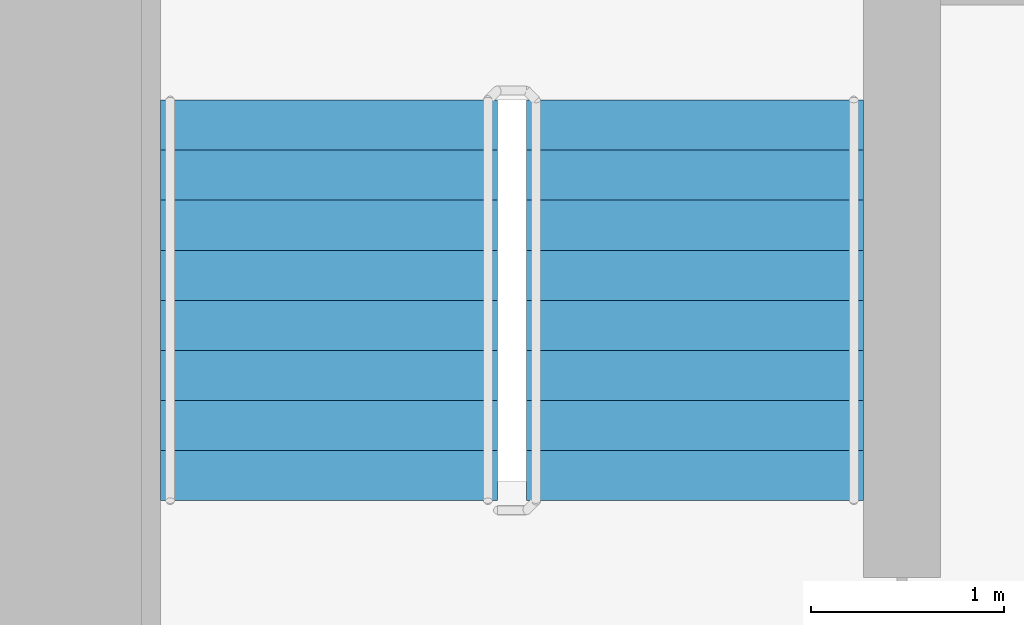
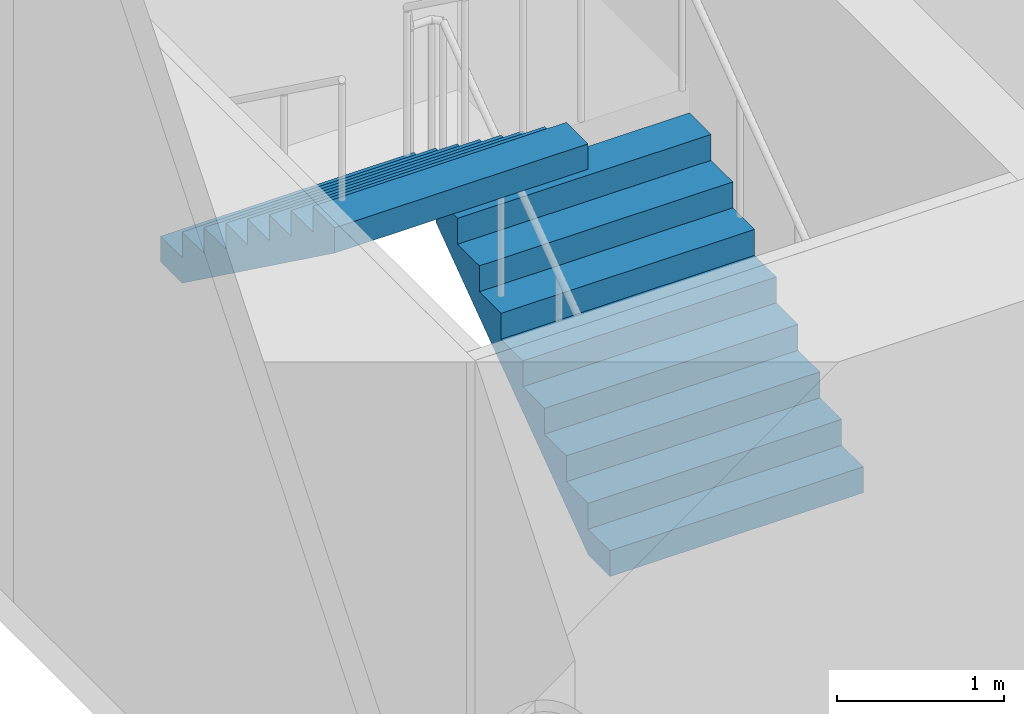
# One storey, part 21 of 25: 2 stair flights, 1 element without a shape of its own.
"""IFC4 building model written with IfcOpenShell, lengths in metres."""

from ifc_helpers import new_model, si_unit, direction, frame, origin, place, context, subcontext, project, spatial, faceted_brep, material, type_object, element, aggregate, save


model = new_model("IFC4")

# Units and contexts
model_context = context("Model", 3, precision=1e-05, world=origin(), true_north=direction((0.0, 1.0)))
body_context = subcontext(model_context, "Body", "Model", "MODEL_VIEW")
ifc_project = project(units=[si_unit("LENGTHUNIT", "METRE"), si_unit("AREAUNIT", "SQUARE_METRE"), si_unit("VOLUMEUNIT", "CUBIC_METRE"), si_unit("PLANEANGLEUNIT", "RADIAN"), si_unit("MASSUNIT", "GRAM", prefix="KILO")], contexts=[model_context])

# Site, building, storey
site_placement = place(None, origin())
site = spatial("IfcSite", under=ifc_project, at=site_placement, CompositionType="ELEMENT")
building_placement = place(site_placement, origin())
building = spatial("IfcBuilding", under=site, at=building_placement, Name="Ipe Terrace Towers", CompositionType="ELEMENT")
storey_placement = place(building_placement, frame((0.0, 0.0, 31.300048828125)))
storey = spatial("IfcBuildingStorey", under=building, at=storey_placement, Name="L07", CompositionType="ELEMENT", Elevation=31.300048828125)

# Stair, stair flights
ifc_material_1 = material(Name="Concrete C30/37", Category="concrete")
stair_type = type_object("IfcStairType", Name="Protected exit stair", PredefinedType="HALF_TURN_STAIR", material=ifc_material_1)
stair_placement = place(storey_placement, origin())
stair = element("IfcStair", 1, at=stair_placement, inside=storey, type_object=stair_type, Name="L07 Exit stair T2-C1", PredefinedType="HALF_TURN_STAIR")
ifc_material_2 = material(Name="Concrete C30/37", Category="concrete")
stair_flight_type = type_object("IfcStairFlightType", Name="Exit stair flight 1750", PredefinedType="STRAIGHT", material=ifc_material_2)
stair_flight_1_placement = place(storey_placement, frame((33.22509765625, 9.699951171875, 0.0), z_axis=(0.0, 0.0, 1.0), x_axis=(0.0, 1.0, 0.0)))
stair_flight_1 = element("IfcStairFlight", 2, at=stair_flight_1_placement, type_object=stair_flight_type, Name="T2-ST1 flight 1", NumberOfRisers=9, NumberOfTreads=8, PredefinedType="STRAIGHT", RiserHeight=0.188888889, TreadLength=0.26, context=body_context, shape_type="Brep", body=[
    faceted_brep([(0.255126953125, -0.875, 0.0), (2.080078125, -0.875, 1.325927734375), (2.080078125, -0.875, 1.51123046875), (1.820068359375, -0.875, 1.51123046875), (1.820068359375, -0.875, 1.322265625), (1.56005859375, -0.875, 1.322265625), (1.56005859375, -0.875, 1.13330078125), (1.300048828125, -0.875, 1.13330078125), (1.300048828125, -0.875, 0.9443359375), (1.0400390625, -0.875, 0.9443359375), (1.0400390625, -0.875, 0.755615234375), (0.780029296875, -0.875, 0.755615234375), (0.780029296875, -0.875, 0.566650390625), (0.52001953125, -0.875, 0.566650390625), (0.52001953125, -0.875, 0.377685546875), (0.260009765625, -0.875, 0.377685546875), (0.260009765625, -0.875, 0.18896484375), (0.0, -0.875, 0.18896484375), (0.0, -0.875, 0.0), (0.0, 0.875, 0.0), (0.0, 0.875, 0.18896484375), (0.260009765625, 0.875, 0.18896484375), (0.260009765625, 0.875, 0.377685546875), (0.52001953125, 0.875, 0.377685546875), (0.52001953125, 0.875, 0.566650390625), (0.780029296875, 0.875, 0.566650390625), (0.780029296875, 0.875, 0.755615234375), (1.0400390625, 0.875, 0.755615234375), (1.0400390625, 0.875, 0.9443359375), (1.300048828125, 0.875, 0.9443359375), (1.300048828125, 0.875, 1.13330078125), (1.56005859375, 0.875, 1.13330078125), (1.56005859375, 0.875, 1.322265625), (1.820068359375, 0.875, 1.322265625), (1.820068359375, 0.875, 1.51123046875), (2.080078125, 0.875, 1.51123046875), (2.080078125, 0.875, 1.325927734375), (0.255126953125, 0.875, 0.0), (0.0, -0.300048828125, 0.18896484375), (0.0, -0.1201171875, 0.18896484375), (0.0, -0.06005859375, 0.18896484375), (0.0, -0.030029296875, 0.18896484375), (0.0, -0.010009765625, 0.18896484375), (0.0, 0.0, 0.18896484375), (0.0, 0.010009765625, 0.18896484375), (0.0, 0.030029296875, 0.18896484375), (0.0, 0.06005859375, 0.18896484375), (0.0, 0.1201171875, 0.18896484375), (0.0, 0.300048828125, 0.18896484375), (0.0, 0.300048828125, 0.0), (0.0, 0.1201171875, 0.0), (0.0, 0.06005859375, 0.0), (0.0, 0.030029296875, 0.0), (0.0, 0.010009765625, 0.0), (0.0, 0.0, 0.0), (0.0, -0.010009765625, 0.0), (0.0, -0.030029296875, 0.0), (0.0, -0.06005859375, 0.0), (0.0, -0.1201171875, 0.0), (0.0, -0.300048828125, 0.0), (0.260009765625, -0.300048828125, 0.18896484375), (0.260009765625, -0.1201171875, 0.18896484375), (0.260009765625, -0.06005859375, 0.18896484375), (0.260009765625, -0.030029296875, 0.18896484375), (0.260009765625, -0.010009765625, 0.18896484375), (0.260009765625, 0.0, 0.18896484375), (0.260009765625, 0.010009765625, 0.18896484375), (0.260009765625, 0.030029296875, 0.18896484375), (0.260009765625, 0.06005859375, 0.18896484375), (0.260009765625, 0.1201171875, 0.18896484375), (0.260009765625, 0.300048828125, 0.18896484375), (0.260009765625, -0.300048828125, 0.377685546875), (0.260009765625, -0.1201171875, 0.377685546875), (0.260009765625, -0.06005859375, 0.377685546875), (0.260009765625, -0.030029296875, 0.377685546875), (0.260009765625, -0.010009765625, 0.377685546875), (0.260009765625, 0.0, 0.377685546875), (0.260009765625, 0.010009765625, 0.377685546875), (0.260009765625, 0.030029296875, 0.377685546875), (0.260009765625, 0.06005859375, 0.377685546875), (0.260009765625, 0.1201171875, 0.377685546875), (0.260009765625, 0.300048828125, 0.377685546875), (0.52001953125, -0.300048828125, 0.377685546875), (0.52001953125, -0.1201171875, 0.377685546875), (0.52001953125, -0.06005859375, 0.377685546875), (0.52001953125, -0.030029296875, 0.377685546875), (0.52001953125, -0.010009765625, 0.377685546875), (0.52001953125, 0.0, 0.377685546875), (0.52001953125, 0.010009765625, 0.377685546875), (0.52001953125, 0.030029296875, 0.377685546875), (0.52001953125, 0.06005859375, 0.377685546875), (0.52001953125, 0.1201171875, 0.377685546875), (0.52001953125, 0.300048828125, 0.377685546875), (0.52001953125, -0.300048828125, 0.566650390625), (0.52001953125, -0.1201171875, 0.566650390625), (0.52001953125, -0.06005859375, 0.566650390625), (0.52001953125, -0.030029296875, 0.566650390625), (0.52001953125, -0.010009765625, 0.566650390625), (0.52001953125, 0.0, 0.566650390625), (0.52001953125, 0.010009765625, 0.566650390625), (0.52001953125, 0.030029296875, 0.566650390625), (0.52001953125, 0.06005859375, 0.566650390625), (0.52001953125, 0.1201171875, 0.566650390625), (0.52001953125, 0.300048828125, 0.566650390625), (0.780029296875, -0.300048828125, 0.566650390625), (0.780029296875, -0.1201171875, 0.566650390625), (0.780029296875, -0.06005859375, 0.566650390625), (0.780029296875, -0.030029296875, 0.566650390625), (0.780029296875, -0.010009765625, 0.566650390625), (0.780029296875, 0.0, 0.566650390625), (0.780029296875, 0.010009765625, 0.566650390625), (0.780029296875, 0.030029296875, 0.566650390625), (0.780029296875, 0.06005859375, 0.566650390625), (0.780029296875, 0.1201171875, 0.566650390625), (0.780029296875, 0.300048828125, 0.566650390625), (0.780029296875, -0.300048828125, 0.755615234375), (0.780029296875, -0.1201171875, 0.755615234375), (0.780029296875, -0.06005859375, 0.755615234375), (0.780029296875, -0.030029296875, 0.755615234375), (0.780029296875, -0.010009765625, 0.755615234375), (0.780029296875, 0.0, 0.755615234375), (0.780029296875, 0.010009765625, 0.755615234375), (0.780029296875, 0.030029296875, 0.755615234375), (0.780029296875, 0.06005859375, 0.755615234375), (0.780029296875, 0.1201171875, 0.755615234375), (0.780029296875, 0.300048828125, 0.755615234375), (1.0400390625, -0.300048828125, 0.755615234375), (1.0400390625, -0.1201171875, 0.755615234375), (1.0400390625, -0.06005859375, 0.755615234375), (1.0400390625, -0.030029296875, 0.755615234375), (1.0400390625, -0.010009765625, 0.755615234375), (1.0400390625, 0.0, 0.755615234375), (1.0400390625, 0.010009765625, 0.755615234375), (1.0400390625, 0.030029296875, 0.755615234375), (1.0400390625, 0.06005859375, 0.755615234375), (1.0400390625, 0.1201171875, 0.755615234375), (1.0400390625, 0.300048828125, 0.755615234375), (1.0400390625, -0.300048828125, 0.9443359375), (1.0400390625, -0.1201171875, 0.9443359375), (1.0400390625, -0.06005859375, 0.9443359375), (1.0400390625, -0.030029296875, 0.9443359375), (1.0400390625, -0.010009765625, 0.9443359375), (1.0400390625, 0.0, 0.9443359375), (1.0400390625, 0.010009765625, 0.9443359375), (1.0400390625, 0.030029296875, 0.9443359375), (1.0400390625, 0.06005859375, 0.9443359375), (1.0400390625, 0.1201171875, 0.9443359375), (1.0400390625, 0.300048828125, 0.9443359375), (1.300048828125, -0.300048828125, 0.9443359375), (1.300048828125, -0.1201171875, 0.9443359375), (1.300048828125, -0.06005859375, 0.9443359375), (1.300048828125, -0.030029296875, 0.9443359375), (1.300048828125, -0.010009765625, 0.9443359375), (1.300048828125, 0.0, 0.9443359375), (1.300048828125, 0.010009765625, 0.9443359375), (1.300048828125, 0.030029296875, 0.9443359375), (1.300048828125, 0.06005859375, 0.9443359375), (1.300048828125, 0.1201171875, 0.9443359375), (1.300048828125, 0.300048828125, 0.9443359375), (1.300048828125, -0.300048828125, 1.13330078125), (1.300048828125, -0.1201171875, 1.13330078125), (1.300048828125, -0.06005859375, 1.13330078125), (1.300048828125, -0.030029296875, 1.13330078125), (1.300048828125, -0.010009765625, 1.13330078125), (1.300048828125, 0.0, 1.13330078125), (1.300048828125, 0.010009765625, 1.13330078125), (1.300048828125, 0.030029296875, 1.13330078125), (1.300048828125, 0.06005859375, 1.13330078125), (1.300048828125, 0.1201171875, 1.13330078125), (1.300048828125, 0.300048828125, 1.13330078125), (1.56005859375, -0.300048828125, 1.13330078125), (1.56005859375, -0.1201171875, 1.13330078125), (1.56005859375, -0.06005859375, 1.13330078125), (1.56005859375, -0.030029296875, 1.13330078125), (1.56005859375, -0.010009765625, 1.13330078125), (1.56005859375, 0.0, 1.13330078125), (1.56005859375, 0.010009765625, 1.13330078125), (1.56005859375, 0.030029296875, 1.13330078125), (1.56005859375, 0.06005859375, 1.13330078125), (1.56005859375, 0.1201171875, 1.13330078125), (1.56005859375, 0.300048828125, 1.13330078125), (1.56005859375, -0.300048828125, 1.322265625), (1.56005859375, -0.1201171875, 1.322265625), (1.56005859375, -0.06005859375, 1.322265625), (1.56005859375, -0.030029296875, 1.322265625), (1.56005859375, -0.010009765625, 1.322265625), (1.56005859375, 0.0, 1.322265625), (1.56005859375, 0.010009765625, 1.322265625), (1.56005859375, 0.030029296875, 1.322265625), (1.56005859375, 0.06005859375, 1.322265625), (1.56005859375, 0.1201171875, 1.322265625), (1.56005859375, 0.300048828125, 1.322265625), (1.820068359375, -0.300048828125, 1.322265625), (1.820068359375, -0.1201171875, 1.322265625), (1.820068359375, -0.06005859375, 1.322265625), (1.820068359375, -0.030029296875, 1.322265625), (1.820068359375, -0.010009765625, 1.322265625), (1.820068359375, 0.0, 1.322265625), (1.820068359375, 0.010009765625, 1.322265625), (1.820068359375, 0.030029296875, 1.322265625), (1.820068359375, 0.06005859375, 1.322265625), (1.820068359375, 0.1201171875, 1.322265625), (1.820068359375, 0.300048828125, 1.322265625), (1.820068359375, -0.300048828125, 1.51123046875), (1.820068359375, -0.1201171875, 1.51123046875), (1.820068359375, -0.06005859375, 1.51123046875), (1.820068359375, -0.030029296875, 1.51123046875), (1.820068359375, -0.010009765625, 1.51123046875), (1.820068359375, 0.0, 1.51123046875), (1.820068359375, 0.010009765625, 1.51123046875), (1.820068359375, 0.030029296875, 1.51123046875), (1.820068359375, 0.06005859375, 1.51123046875), (1.820068359375, 0.1201171875, 1.51123046875), (1.820068359375, 0.300048828125, 1.51123046875), (2.080078125, -0.300048828125, 1.51123046875), (2.080078125, -0.1201171875, 1.51123046875), (2.080078125, -0.06005859375, 1.51123046875), (2.080078125, -0.030029296875, 1.51123046875), (2.080078125, -0.010009765625, 1.51123046875), (2.080078125, 0.0, 1.51123046875), (2.080078125, 0.010009765625, 1.51123046875), (2.080078125, 0.030029296875, 1.51123046875), (2.080078125, 0.06005859375, 1.51123046875), (2.080078125, 0.1201171875, 1.51123046875), (2.080078125, 0.300048828125, 1.51123046875), (2.080078125, -0.300048828125, 1.325927734375), (2.080078125, -0.1201171875, 1.325927734375), (2.080078125, -0.06005859375, 1.325927734375), (2.080078125, -0.030029296875, 1.325927734375), (2.080078125, -0.010009765625, 1.325927734375), (2.080078125, 0.0, 1.325927734375), (2.080078125, 0.010009765625, 1.325927734375), (2.080078125, 0.030029296875, 1.325927734375), (2.080078125, 0.06005859375, 1.325927734375), (2.080078125, 0.1201171875, 1.325927734375), (2.080078125, 0.300048828125, 1.325927734375), (0.255126953125, -0.300048828125, 0.0), (0.255126953125, -0.1201171875, 0.0), (0.255126953125, -0.06005859375, 0.0), (0.255126953125, -0.030029296875, 0.0), (0.255126953125, -0.010009765625, 0.0), (0.255126953125, 0.0, 0.0), (0.255126953125, 0.010009765625, 0.0), (0.255126953125, 0.030029296875, 0.0), (0.255126953125, 0.06005859375, 0.0), (0.255126953125, 0.1201171875, 0.0), (0.255126953125, 0.300048828125, 0.0)], [[[0, 1, 2, 3, 4, 5, 6, 7, 8, 9, 10, 11, 12, 13, 14, 15, 16, 17, 18]], [[19, 20, 21, 22, 23, 24, 25, 26, 27, 28, 29, 30, 31, 32, 33, 34, 35, 36, 37]], [[17, 38, 39, 40, 41, 42, 43, 44, 45, 46, 47, 48, 20, 19, 49, 50, 51, 52, 53, 54, 55, 56, 57, 58, 59, 18]], [[16, 60, 61, 62, 63, 64, 65, 66, 67, 68, 69, 70, 21, 20, 48, 47, 46, 45, 44, 43, 42, 41, 40, 39, 38, 17]], [[15, 71, 72, 73, 74, 75, 76, 77, 78, 79, 80, 81, 22, 21, 70, 69, 68, 67, 66, 65, 64, 63, 62, 61, 60, 16]], [[14, 82, 83, 84, 85, 86, 87, 88, 89, 90, 91, 92, 23, 22, 81, 80, 79, 78, 77, 76, 75, 74, 73, 72, 71, 15]], [[13, 93, 94, 95, 96, 97, 98, 99, 100, 101, 102, 103, 24, 23, 92, 91, 90, 89, 88, 87, 86, 85, 84, 83, 82, 14]], [[12, 104, 105, 106, 107, 108, 109, 110, 111, 112, 113, 114, 25, 24, 103, 102, 101, 100, 99, 98, 97, 96, 95, 94, 93, 13]], [[11, 115, 116, 117, 118, 119, 120, 121, 122, 123, 124, 125, 26, 25, 114, 113, 112, 111, 110, 109, 108, 107, 106, 105, 104, 12]], [[10, 126, 127, 128, 129, 130, 131, 132, 133, 134, 135, 136, 27, 26, 125, 124, 123, 122, 121, 120, 119, 118, 117, 116, 115, 11]], [[9, 137, 138, 139, 140, 141, 142, 143, 144, 145, 146, 147, 28, 27, 136, 135, 134, 133, 132, 131, 130, 129, 128, 127, 126, 10]], [[8, 148, 149, 150, 151, 152, 153, 154, 155, 156, 157, 158, 29, 28, 147, 146, 145, 144, 143, 142, 141, 140, 139, 138, 137, 9]], [[7, 159, 160, 161, 162, 163, 164, 165, 166, 167, 168, 169, 30, 29, 158, 157, 156, 155, 154, 153, 152, 151, 150, 149, 148, 8]], [[6, 170, 171, 172, 173, 174, 175, 176, 177, 178, 179, 180, 31, 30, 169, 168, 167, 166, 165, 164, 163, 162, 161, 160, 159, 7]], [[5, 181, 182, 183, 184, 185, 186, 187, 188, 189, 190, 191, 32, 31, 180, 179, 178, 177, 176, 175, 174, 173, 172, 171, 170, 6]], [[4, 192, 193, 194, 195, 196, 197, 198, 199, 200, 201, 202, 33, 32, 191, 190, 189, 188, 187, 186, 185, 184, 183, 182, 181, 5]], [[3, 203, 204, 205, 206, 207, 208, 209, 210, 211, 212, 213, 34, 33, 202, 201, 200, 199, 198, 197, 196, 195, 194, 193, 192, 4]], [[2, 214, 215, 216, 217, 218, 219, 220, 221, 222, 223, 224, 35, 34, 213, 212, 211, 210, 209, 208, 207, 206, 205, 204, 203, 3]], [[1, 225, 226, 227, 228, 229, 230, 231, 232, 233, 234, 235, 36, 35, 224, 223, 222, 221, 220, 219, 218, 217, 216, 215, 214, 2]], [[0, 236, 237, 238, 239, 240, 241, 242, 243, 244, 245, 246, 37, 36, 235, 234, 233, 232, 231, 230, 229, 228, 227, 226, 225, 1]], [[18, 59, 58, 57, 56, 55, 54, 53, 52, 51, 50, 49, 19, 37, 246, 245, 244, 243, 242, 241, 240, 239, 238, 237, 236, 0]]]),
])
stair_flight_2_placement = place(storey_placement, frame((31.324951171875, 11.780029296875, 1.699951171875), z_axis=(0.0, 0.0, 1.0), x_axis=(0.0, -1.0, 0.0)))
stair_flight_2 = element("IfcStairFlight", 3, at=stair_flight_2_placement, type_object=stair_flight_type, Name="T2-ST1 flight 2", NumberOfRisers=9, NumberOfTreads=8, PredefinedType="STRAIGHT", RiserHeight=0.188888889, TreadLength=0.26, context=body_context, shape_type="Brep", body=[
    faceted_brep([(0.255126953125, -0.875, 0.0), (2.080078125, -0.875, 1.325927734375), (2.080078125, -0.875, 1.51123046875), (1.820068359375, -0.875, 1.51123046875), (1.820068359375, -0.875, 1.322265625), (1.56005859375, -0.875, 1.322265625), (1.56005859375, -0.875, 1.13330078125), (1.300048828125, -0.875, 1.13330078125), (1.300048828125, -0.875, 0.9443359375), (1.0400390625, -0.875, 0.9443359375), (1.0400390625, -0.875, 0.755615234375), (0.780029296875, -0.875, 0.755615234375), (0.780029296875, -0.875, 0.566650390625), (0.52001953125, -0.875, 0.566650390625), (0.52001953125, -0.875, 0.377685546875), (0.260009765625, -0.875, 0.377685546875), (0.260009765625, -0.875, 0.18896484375), (0.0, -0.875, 0.18896484375), (0.0, -0.875, 0.0), (0.0, 0.875, 0.0), (0.0, 0.875, 0.18896484375), (0.260009765625, 0.875, 0.18896484375), (0.260009765625, 0.875, 0.377685546875), (0.52001953125, 0.875, 0.377685546875), (0.52001953125, 0.875, 0.566650390625), (0.780029296875, 0.875, 0.566650390625), (0.780029296875, 0.875, 0.755615234375), (1.0400390625, 0.875, 0.755615234375), (1.0400390625, 0.875, 0.9443359375), (1.300048828125, 0.875, 0.9443359375), (1.300048828125, 0.875, 1.13330078125), (1.56005859375, 0.875, 1.13330078125), (1.56005859375, 0.875, 1.322265625), (1.820068359375, 0.875, 1.322265625), (1.820068359375, 0.875, 1.51123046875), (2.080078125, 0.875, 1.51123046875), (2.080078125, 0.875, 1.325927734375), (0.255126953125, 0.875, 0.0), (0.0, -0.300048828125, 0.18896484375), (0.0, -0.1201171875, 0.18896484375), (0.0, -0.06005859375, 0.18896484375), (0.0, -0.030029296875, 0.18896484375), (0.0, -0.010009765625, 0.18896484375), (0.0, 0.0, 0.18896484375), (0.0, 0.010009765625, 0.18896484375), (0.0, 0.030029296875, 0.18896484375), (0.0, 0.06005859375, 0.18896484375), (0.0, 0.1201171875, 0.18896484375), (0.0, 0.300048828125, 0.18896484375), (0.0, 0.300048828125, 0.0), (0.0, 0.1201171875, 0.0), (0.0, 0.06005859375, 0.0), (0.0, 0.030029296875, 0.0), (0.0, 0.010009765625, 0.0), (0.0, 0.0, 0.0), (0.0, -0.010009765625, 0.0), (0.0, -0.030029296875, 0.0), (0.0, -0.06005859375, 0.0), (0.0, -0.1201171875, 0.0), (0.0, -0.300048828125, 0.0), (0.260009765625, -0.300048828125, 0.18896484375), (0.260009765625, -0.1201171875, 0.18896484375), (0.260009765625, -0.06005859375, 0.18896484375), (0.260009765625, -0.030029296875, 0.18896484375), (0.260009765625, -0.010009765625, 0.18896484375), (0.260009765625, 0.0, 0.18896484375), (0.260009765625, 0.010009765625, 0.18896484375), (0.260009765625, 0.030029296875, 0.18896484375), (0.260009765625, 0.06005859375, 0.18896484375), (0.260009765625, 0.1201171875, 0.18896484375), (0.260009765625, 0.300048828125, 0.18896484375), (0.260009765625, -0.300048828125, 0.377685546875), (0.260009765625, -0.1201171875, 0.377685546875), (0.260009765625, -0.06005859375, 0.377685546875), (0.260009765625, -0.030029296875, 0.377685546875), (0.260009765625, -0.010009765625, 0.377685546875), (0.260009765625, 0.0, 0.377685546875), (0.260009765625, 0.010009765625, 0.377685546875), (0.260009765625, 0.030029296875, 0.377685546875), (0.260009765625, 0.06005859375, 0.377685546875), (0.260009765625, 0.1201171875, 0.377685546875), (0.260009765625, 0.300048828125, 0.377685546875), (0.52001953125, -0.300048828125, 0.377685546875), (0.52001953125, -0.1201171875, 0.377685546875), (0.52001953125, -0.06005859375, 0.377685546875), (0.52001953125, -0.030029296875, 0.377685546875), (0.52001953125, -0.010009765625, 0.377685546875), (0.52001953125, 0.0, 0.377685546875), (0.52001953125, 0.010009765625, 0.377685546875), (0.52001953125, 0.030029296875, 0.377685546875), (0.52001953125, 0.06005859375, 0.377685546875), (0.52001953125, 0.1201171875, 0.377685546875), (0.52001953125, 0.300048828125, 0.377685546875), (0.52001953125, -0.300048828125, 0.566650390625), (0.52001953125, -0.1201171875, 0.566650390625), (0.52001953125, -0.06005859375, 0.566650390625), (0.52001953125, -0.030029296875, 0.566650390625), (0.52001953125, -0.010009765625, 0.566650390625), (0.52001953125, 0.0, 0.566650390625), (0.52001953125, 0.010009765625, 0.566650390625), (0.52001953125, 0.030029296875, 0.566650390625), (0.52001953125, 0.06005859375, 0.566650390625), (0.52001953125, 0.1201171875, 0.566650390625), (0.52001953125, 0.300048828125, 0.566650390625), (0.780029296875, -0.300048828125, 0.566650390625), (0.780029296875, -0.1201171875, 0.566650390625), (0.780029296875, -0.06005859375, 0.566650390625), (0.780029296875, -0.030029296875, 0.566650390625), (0.780029296875, -0.010009765625, 0.566650390625), (0.780029296875, 0.0, 0.566650390625), (0.780029296875, 0.010009765625, 0.566650390625), (0.780029296875, 0.030029296875, 0.566650390625), (0.780029296875, 0.06005859375, 0.566650390625), (0.780029296875, 0.1201171875, 0.566650390625), (0.780029296875, 0.300048828125, 0.566650390625), (0.780029296875, -0.300048828125, 0.755615234375), (0.780029296875, -0.1201171875, 0.755615234375), (0.780029296875, -0.06005859375, 0.755615234375), (0.780029296875, -0.030029296875, 0.755615234375), (0.780029296875, -0.010009765625, 0.755615234375), (0.780029296875, 0.0, 0.755615234375), (0.780029296875, 0.010009765625, 0.755615234375), (0.780029296875, 0.030029296875, 0.755615234375), (0.780029296875, 0.06005859375, 0.755615234375), (0.780029296875, 0.1201171875, 0.755615234375), (0.780029296875, 0.300048828125, 0.755615234375), (1.0400390625, -0.300048828125, 0.755615234375), (1.0400390625, -0.1201171875, 0.755615234375), (1.0400390625, -0.06005859375, 0.755615234375), (1.0400390625, -0.030029296875, 0.755615234375), (1.0400390625, -0.010009765625, 0.755615234375), (1.0400390625, 0.0, 0.755615234375), (1.0400390625, 0.010009765625, 0.755615234375), (1.0400390625, 0.030029296875, 0.755615234375), (1.0400390625, 0.06005859375, 0.755615234375), (1.0400390625, 0.1201171875, 0.755615234375), (1.0400390625, 0.300048828125, 0.755615234375), (1.0400390625, -0.300048828125, 0.9443359375), (1.0400390625, -0.1201171875, 0.9443359375), (1.0400390625, -0.06005859375, 0.9443359375), (1.0400390625, -0.030029296875, 0.9443359375), (1.0400390625, -0.010009765625, 0.9443359375), (1.0400390625, 0.0, 0.9443359375), (1.0400390625, 0.010009765625, 0.9443359375), (1.0400390625, 0.030029296875, 0.9443359375), (1.0400390625, 0.06005859375, 0.9443359375), (1.0400390625, 0.1201171875, 0.9443359375), (1.0400390625, 0.300048828125, 0.9443359375), (1.300048828125, -0.300048828125, 0.9443359375), (1.300048828125, -0.1201171875, 0.9443359375), (1.300048828125, -0.06005859375, 0.9443359375), (1.300048828125, -0.030029296875, 0.9443359375), (1.300048828125, -0.010009765625, 0.9443359375), (1.300048828125, 0.0, 0.9443359375), (1.300048828125, 0.010009765625, 0.9443359375), (1.300048828125, 0.030029296875, 0.9443359375), (1.300048828125, 0.06005859375, 0.9443359375), (1.300048828125, 0.1201171875, 0.9443359375), (1.300048828125, 0.300048828125, 0.9443359375), (1.300048828125, -0.300048828125, 1.13330078125), (1.300048828125, -0.1201171875, 1.13330078125), (1.300048828125, -0.06005859375, 1.13330078125), (1.300048828125, -0.030029296875, 1.13330078125), (1.300048828125, -0.010009765625, 1.13330078125), (1.300048828125, 0.0, 1.13330078125), (1.300048828125, 0.010009765625, 1.13330078125), (1.300048828125, 0.030029296875, 1.13330078125), (1.300048828125, 0.06005859375, 1.13330078125), (1.300048828125, 0.1201171875, 1.13330078125), (1.300048828125, 0.300048828125, 1.13330078125), (1.56005859375, -0.300048828125, 1.13330078125), (1.56005859375, -0.1201171875, 1.13330078125), (1.56005859375, -0.06005859375, 1.13330078125), (1.56005859375, -0.030029296875, 1.13330078125), (1.56005859375, -0.010009765625, 1.13330078125), (1.56005859375, 0.0, 1.13330078125), (1.56005859375, 0.010009765625, 1.13330078125), (1.56005859375, 0.030029296875, 1.13330078125), (1.56005859375, 0.06005859375, 1.13330078125), (1.56005859375, 0.1201171875, 1.13330078125), (1.56005859375, 0.300048828125, 1.13330078125), (1.56005859375, -0.300048828125, 1.322265625), (1.56005859375, -0.1201171875, 1.322265625), (1.56005859375, -0.06005859375, 1.322265625), (1.56005859375, -0.030029296875, 1.322265625), (1.56005859375, -0.010009765625, 1.322265625), (1.56005859375, 0.0, 1.322265625), (1.56005859375, 0.010009765625, 1.322265625), (1.56005859375, 0.030029296875, 1.322265625), (1.56005859375, 0.06005859375, 1.322265625), (1.56005859375, 0.1201171875, 1.322265625), (1.56005859375, 0.300048828125, 1.322265625), (1.820068359375, -0.300048828125, 1.322265625), (1.820068359375, -0.1201171875, 1.322265625), (1.820068359375, -0.06005859375, 1.322265625), (1.820068359375, -0.030029296875, 1.322265625), (1.820068359375, -0.010009765625, 1.322265625), (1.820068359375, 0.0, 1.322265625), (1.820068359375, 0.010009765625, 1.322265625), (1.820068359375, 0.030029296875, 1.322265625), (1.820068359375, 0.06005859375, 1.322265625), (1.820068359375, 0.1201171875, 1.322265625), (1.820068359375, 0.300048828125, 1.322265625), (1.820068359375, -0.300048828125, 1.51123046875), (1.820068359375, -0.1201171875, 1.51123046875), (1.820068359375, -0.06005859375, 1.51123046875), (1.820068359375, -0.030029296875, 1.51123046875), (1.820068359375, -0.010009765625, 1.51123046875), (1.820068359375, 0.0, 1.51123046875), (1.820068359375, 0.010009765625, 1.51123046875), (1.820068359375, 0.030029296875, 1.51123046875), (1.820068359375, 0.06005859375, 1.51123046875), (1.820068359375, 0.1201171875, 1.51123046875), (1.820068359375, 0.300048828125, 1.51123046875), (2.080078125, -0.300048828125, 1.51123046875), (2.080078125, -0.1201171875, 1.51123046875), (2.080078125, -0.06005859375, 1.51123046875), (2.080078125, -0.030029296875, 1.51123046875), (2.080078125, -0.010009765625, 1.51123046875), (2.080078125, 0.0, 1.51123046875), (2.080078125, 0.010009765625, 1.51123046875), (2.080078125, 0.030029296875, 1.51123046875), (2.080078125, 0.06005859375, 1.51123046875), (2.080078125, 0.1201171875, 1.51123046875), (2.080078125, 0.300048828125, 1.51123046875), (2.080078125, -0.300048828125, 1.325927734375), (2.080078125, -0.1201171875, 1.325927734375), (2.080078125, -0.06005859375, 1.325927734375), (2.080078125, -0.030029296875, 1.325927734375), (2.080078125, -0.010009765625, 1.325927734375), (2.080078125, 0.0, 1.325927734375), (2.080078125, 0.010009765625, 1.325927734375), (2.080078125, 0.030029296875, 1.325927734375), (2.080078125, 0.06005859375, 1.325927734375), (2.080078125, 0.1201171875, 1.325927734375), (2.080078125, 0.300048828125, 1.325927734375), (0.255126953125, -0.300048828125, 0.0), (0.255126953125, -0.1201171875, 0.0), (0.255126953125, -0.06005859375, 0.0), (0.255126953125, -0.030029296875, 0.0), (0.255126953125, -0.010009765625, 0.0), (0.255126953125, 0.0, 0.0), (0.255126953125, 0.010009765625, 0.0), (0.255126953125, 0.030029296875, 0.0), (0.255126953125, 0.06005859375, 0.0), (0.255126953125, 0.1201171875, 0.0), (0.255126953125, 0.300048828125, 0.0)], [[[0, 1, 2, 3, 4, 5, 6, 7, 8, 9, 10, 11, 12, 13, 14, 15, 16, 17, 18]], [[19, 20, 21, 22, 23, 24, 25, 26, 27, 28, 29, 30, 31, 32, 33, 34, 35, 36, 37]], [[17, 38, 39, 40, 41, 42, 43, 44, 45, 46, 47, 48, 20, 19, 49, 50, 51, 52, 53, 54, 55, 56, 57, 58, 59, 18]], [[16, 60, 61, 62, 63, 64, 65, 66, 67, 68, 69, 70, 21, 20, 48, 47, 46, 45, 44, 43, 42, 41, 40, 39, 38, 17]], [[15, 71, 72, 73, 74, 75, 76, 77, 78, 79, 80, 81, 22, 21, 70, 69, 68, 67, 66, 65, 64, 63, 62, 61, 60, 16]], [[14, 82, 83, 84, 85, 86, 87, 88, 89, 90, 91, 92, 23, 22, 81, 80, 79, 78, 77, 76, 75, 74, 73, 72, 71, 15]], [[13, 93, 94, 95, 96, 97, 98, 99, 100, 101, 102, 103, 24, 23, 92, 91, 90, 89, 88, 87, 86, 85, 84, 83, 82, 14]], [[12, 104, 105, 106, 107, 108, 109, 110, 111, 112, 113, 114, 25, 24, 103, 102, 101, 100, 99, 98, 97, 96, 95, 94, 93, 13]], [[11, 115, 116, 117, 118, 119, 120, 121, 122, 123, 124, 125, 26, 25, 114, 113, 112, 111, 110, 109, 108, 107, 106, 105, 104, 12]], [[10, 126, 127, 128, 129, 130, 131, 132, 133, 134, 135, 136, 27, 26, 125, 124, 123, 122, 121, 120, 119, 118, 117, 116, 115, 11]], [[9, 137, 138, 139, 140, 141, 142, 143, 144, 145, 146, 147, 28, 27, 136, 135, 134, 133, 132, 131, 130, 129, 128, 127, 126, 10]], [[8, 148, 149, 150, 151, 152, 153, 154, 155, 156, 157, 158, 29, 28, 147, 146, 145, 144, 143, 142, 141, 140, 139, 138, 137, 9]], [[7, 159, 160, 161, 162, 163, 164, 165, 166, 167, 168, 169, 30, 29, 158, 157, 156, 155, 154, 153, 152, 151, 150, 149, 148, 8]], [[6, 170, 171, 172, 173, 174, 175, 176, 177, 178, 179, 180, 31, 30, 169, 168, 167, 166, 165, 164, 163, 162, 161, 160, 159, 7]], [[5, 181, 182, 183, 184, 185, 186, 187, 188, 189, 190, 191, 32, 31, 180, 179, 178, 177, 176, 175, 174, 173, 172, 171, 170, 6]], [[4, 192, 193, 194, 195, 196, 197, 198, 199, 200, 201, 202, 33, 32, 191, 190, 189, 188, 187, 186, 185, 184, 183, 182, 181, 5]], [[3, 203, 204, 205, 206, 207, 208, 209, 210, 211, 212, 213, 34, 33, 202, 201, 200, 199, 198, 197, 196, 195, 194, 193, 192, 4]], [[2, 214, 215, 216, 217, 218, 219, 220, 221, 222, 223, 224, 35, 34, 213, 212, 211, 210, 209, 208, 207, 206, 205, 204, 203, 3]], [[1, 225, 226, 227, 228, 229, 230, 231, 232, 233, 234, 235, 36, 35, 224, 223, 222, 221, 220, 219, 218, 217, 216, 215, 214, 2]], [[0, 236, 237, 238, 239, 240, 241, 242, 243, 244, 245, 246, 37, 36, 235, 234, 233, 232, 231, 230, 229, 228, 227, 226, 225, 1]], [[18, 59, 58, 57, 56, 55, 54, 53, 52, 51, 50, 49, 19, 37, 246, 245, 244, 243, 242, 241, 240, 239, 238, 237, 236, 0]]]),
])
aggregate(stair, [stair_flight_1, stair_flight_2])

save(model, "model.ifc")
